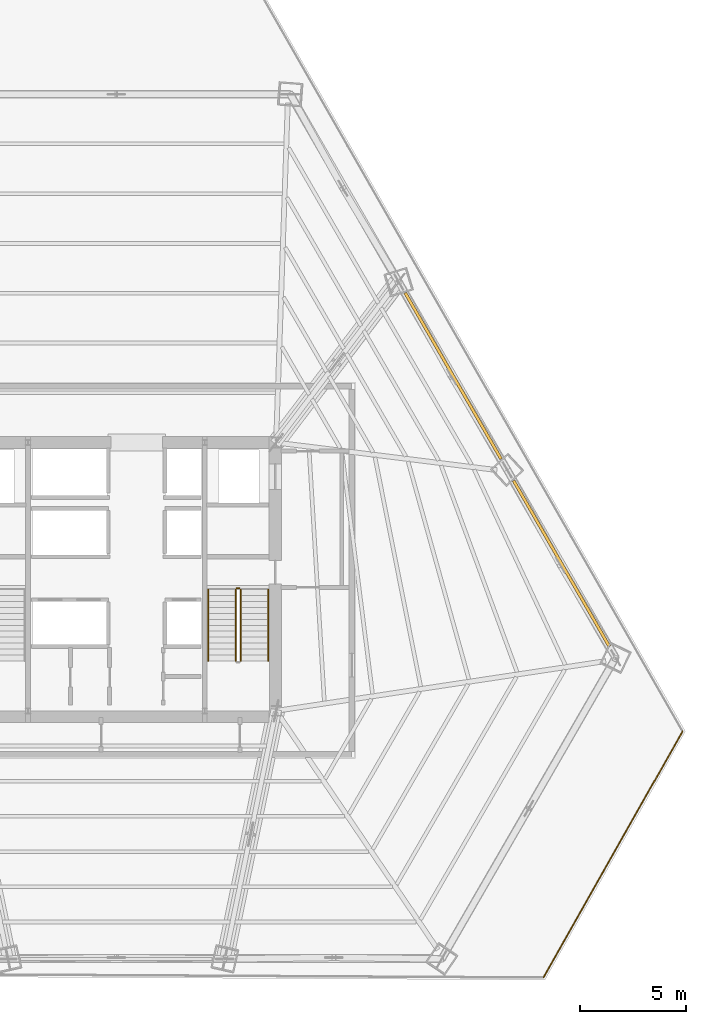
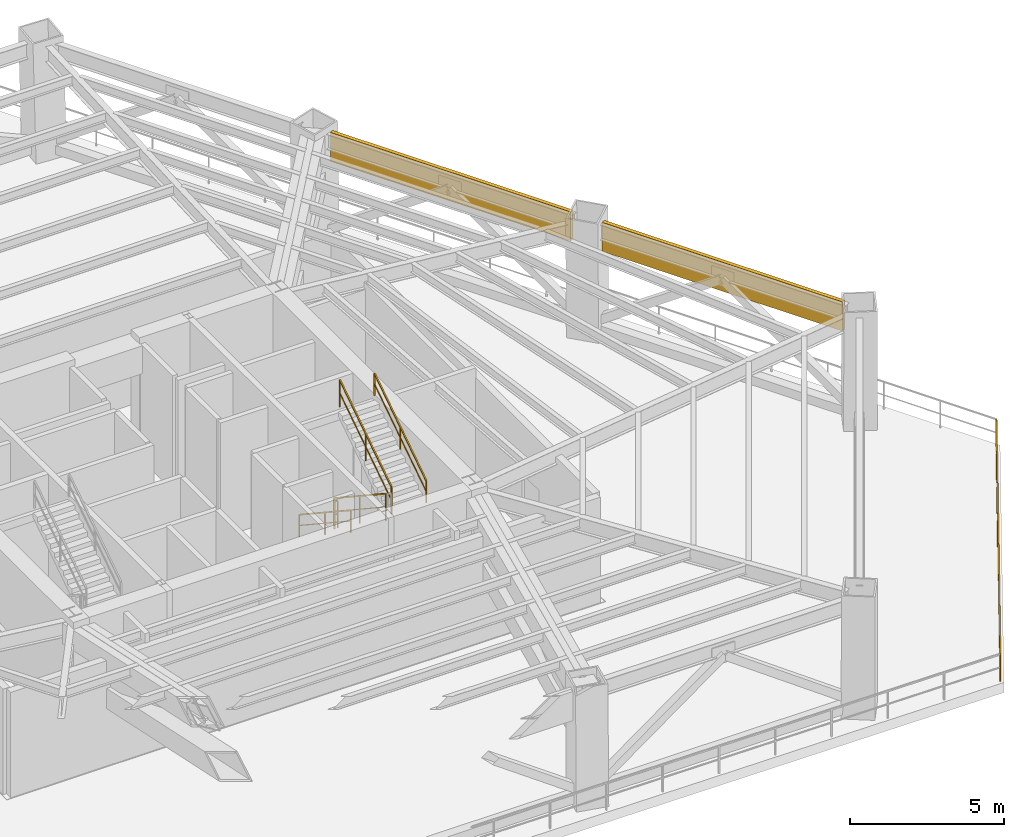
# One storey, part 12 of 13: 6 railings, 2 shading devices.
"""IFC4 building model written with IfcOpenShell, lengths in metres."""

import ifcopenshell
import ifcopenshell.guid

model = None  # the IFC model being written
_history = None  # IfcOwnerHistory: only IFC2X3 demands one
_inside = {}  # id of a spatial element -> (the spatial element, [elements in it])
_under = {}  # id of a project, library or spatial element -> (it, [spatial elements below it])
_declared = {}  # id of a project -> (the project, [libraries it declares])
_typed = {}  # id of a type object -> (the type object, [elements of that type])
_made_of = {}  # id of a material, layer set ... -> (it, [elements and type objects made of it])


def new_model(schema):
    """Start an empty IFC model of exactly this schema.

    Asked for "IFC4X3", IfcOpenShell would pick the latest addendum, in which some entities
    have other attributes; the version numbers below select the first issue.
    IFC2X3 requires an IfcOwnerHistory on every rooted entity: one is made here for all.
    """
    global model, _history
    if schema == "IFC4X3":
        model = ifcopenshell.file(schema_version=(4, 3, 0, 0))
    else:
        model = ifcopenshell.file(schema=schema)
    _inside.clear()
    _under.clear()
    _declared.clear()
    _typed.clear()
    _made_of.clear()
    _history = None
    if model.schema == "IFC2X3":
        org = make("IfcOrganization", Name="unknown")
        user = make(
            "IfcPersonAndOrganization",
            ThePerson=make("IfcPerson", FamilyName="unknown"),
            TheOrganization=org,
        )
        app = make(
            "IfcApplication",
            ApplicationDeveloper=org,
            Version="unknown",
            ApplicationFullName="unknown",
            ApplicationIdentifier="unknown",
        )
        _history = make(
            "IfcOwnerHistory",
            OwningUser=user,
            OwningApplication=app,
            ChangeAction="ADDED",
            CreationDate=0,
        )
    return model


def make(cls, **values):
    """One entity of the class cls with the attributes given. An attribute that is None is left unset."""
    return model.create_entity(
        cls, **{name: value for name, value in values.items() if value is not None}
    )


def rooted(cls, **values):
    """An entity with a GlobalId (a new one), such as an element, a storey or a relation."""
    return make(cls, GlobalId=ifcopenshell.guid.new(), OwnerHistory=_history, **values)


def si_unit(unit_type, name, prefix=None):
    """IfcSIUnit, for example si_unit("LENGTHUNIT", "METRE", prefix="MILLI")."""
    return make("IfcSIUnit", UnitType=unit_type, Prefix=prefix, Name=name)


def assignment(units):
    """IfcUnitAssignment: the units of a project."""
    return None if units is None else make("IfcUnitAssignment", Units=units)


def point(xyz):
    """IfcCartesianPoint."""
    return None if xyz is None else make("IfcCartesianPoint", Coordinates=xyz)


def direction(xyz):
    """IfcDirection."""
    return None if xyz is None else make("IfcDirection", DirectionRatios=xyz)


def frame(location, z_axis=None, x_axis=None):
    """IfcAxis2Placement3D, a coordinate frame: its origin and axes. An axis left out is left unset."""
    return make(
        "IfcAxis2Placement3D",
        Location=point(location),
        Axis=direction(z_axis),
        RefDirection=direction(x_axis),
    )


def frame_2d(location, x_axis=None):
    """IfcAxis2Placement2D, a coordinate frame in the plane: its origin and x axis."""
    return make(
        "IfcAxis2Placement2D", Location=point(location), RefDirection=direction(x_axis)
    )


def origin():
    """The frame at (0, 0, 0) with its axes left unset."""
    return frame((0.0, 0.0, 0.0))


def origin_2d():
    """The frame at (0, 0) in the plane with its x axis left unset."""
    return frame_2d((0.0, 0.0))


def place(relative_to, where):
    """IfcLocalPlacement: puts the frame where relative to a parent placement (None: the world)."""
    return make(
        "IfcLocalPlacement", PlacementRelTo=relative_to, RelativePlacement=where
    )


def context(
    kind, dimensions, precision=None, world=None, true_north=None, identifier=None
):
    """IfcGeometricRepresentationContext, for example the 3D "Model" context."""
    return make(
        "IfcGeometricRepresentationContext",
        ContextIdentifier=identifier,
        ContextType=kind,
        CoordinateSpaceDimension=dimensions,
        Precision=precision,
        WorldCoordinateSystem=world,
        TrueNorth=true_north,
    )


def subcontext(parent, identifier, kind, view, scale=None):
    """IfcGeometricRepresentationSubContext, for example "Body" below "Model"."""
    return make(
        "IfcGeometricRepresentationSubContext",
        ContextIdentifier=identifier,
        ContextType=kind,
        ParentContext=parent,
        TargetScale=scale,
        TargetView=view,
    )


def project(units=None, contexts=None):
    """IfcProject with its units and contexts."""
    return rooted(
        "IfcProject",
        Name="project",
        RepresentationContexts=contexts,
        UnitsInContext=assignment(units),
    )


def spatial(cls, under=None, at=None, **own):
    """A site, building, storey or space (cls), placed at a placement, below another one or the project."""
    s = rooted(cls, ObjectPlacement=at, **own)
    if under is not None:
        _under.setdefault(under.id(), (under, []))[1].append(s)
    return s


def profile(cls, at=None, kind="AREA", **sizes):
    """A parametric profile (cls). Its sizes go by their IFC names, for example OverallWidth=200.0."""
    return make(cls, ProfileType=kind, Position=at, **sizes)


def rectangle(**sizes):
    """IfcRectangleProfileDef."""
    return profile("IfcRectangleProfileDef", **sizes)


def extrude(swept, where, along, depth):
    """IfcExtrudedAreaSolid: the profile swept, set in the frame where, extruded along a direction by depth."""
    return make(
        "IfcExtrudedAreaSolid",
        SweptArea=swept,
        Position=where,
        ExtrudedDirection=direction(along),
        Depth=depth,
    )


def shape(context_of_items, identifier, shape_type, items):
    """IfcShapeRepresentation: the items that make up one representation, for example the "Body"."""
    return make(
        "IfcShapeRepresentation",
        ContextOfItems=context_of_items,
        RepresentationIdentifier=identifier,
        RepresentationType=shape_type,
        Items=items,
    )


def source(mapping_origin, context_of_items, identifier, shape_type, items):
    """IfcRepresentationMap: a shape defined once, which mapped items show again and again."""
    return make(
        "IfcRepresentationMap",
        MappingOrigin=mapping_origin,
        MappedRepresentation=shape(context_of_items, identifier, shape_type, items),
    )


def transform(
    local_origin,
    x_axis=None,
    y_axis=None,
    z_axis=None,
    scale=None,
    scale2=None,
    scale3=None,
    uniform=True,
):
    """IfcCartesianTransformationOperator3D, or its non-uniform kind. x_axis, y_axis, z_axis: its Axis1, 2, 3."""
    if uniform:
        return make(
            "IfcCartesianTransformationOperator3D",
            Axis1=direction(x_axis),
            Axis2=direction(y_axis),
            LocalOrigin=point(local_origin),
            Scale=scale,
            Axis3=direction(z_axis),
        )
    return make(
        "IfcCartesianTransformationOperator3DnonUniform",
        Axis1=direction(x_axis),
        Axis2=direction(y_axis),
        LocalOrigin=point(local_origin),
        Scale=scale,
        Axis3=direction(z_axis),
        Scale2=scale2,
        Scale3=scale3,
    )


def mapped(mapping_source, mapping_target):
    """IfcMappedItem: shows the shape of a source again, moved by a transform."""
    return make(
        "IfcMappedItem", MappingSource=mapping_source, MappingTarget=mapping_target
    )


def material(Name=None, Category=None):
    """IfcMaterial."""
    return make("IfcMaterial", Name=Name, Category=Category)


def layer(
    of_material, thickness, ventilated=None, Name=None, Category=None, Priority=None
):
    """IfcMaterialLayer: one layer of a wall or slab, of a material (None: an air gap)."""
    return make(
        "IfcMaterialLayer",
        Material=of_material,
        LayerThickness=thickness,
        IsVentilated=ventilated,
        Name=Name,
        Category=Category,
        Priority=Priority,
    )


def layer_set(layers, Name=None):
    """IfcMaterialLayerSet."""
    return make("IfcMaterialLayerSet", MaterialLayers=layers, LayerSetName=Name)


def made_of(thing, what):
    """Note that an element or type object is made of a material, layer set ...; save() writes the relation."""
    if what is not None:
        _made_of.setdefault(what.id(), (what, []))[1].append(thing)
    return thing


def type_object(cls, material=None, **own):
    """A type object (cls), such as IfcWallType, which elements share."""
    return made_of(rooted(cls, **own), material)


def type_shapes(of_type, sources):
    """Give a type object the sources (RepresentationMaps) that its elements show as mapped items."""
    of_type.RepresentationMaps = sources


def element(
    cls,
    number,
    at=None,
    inside=None,
    cuts=None,
    type_object=None,
    material=None,
    context=None,
    identifier="Body",
    shape_type=None,
    held_by="IfcProductDefinitionShape",
    body=None,
    shapes=None,
    **own,
):
    """One element of the class cls, such as IfcWall. Its Tag is "e" and its number.

    at: its placement. inside: the storey or other place that contains it. cuts: it is an
    opening in that element (IfcRelVoidsElement). A single representation is given by context,
    identifier, shape_type and body (its items); several are given by shapes. held_by: the class
    of the entity that holds the representations. save() writes the other relations.
    """
    e = rooted(cls, Tag="e%d" % number, ObjectPlacement=at, **own)
    if body is not None:
        shapes = [shape(context, identifier, shape_type, body)]
    if shapes is not None:
        e.Representation = make(held_by, Representations=shapes)
    if inside is not None:
        _inside.setdefault(inside.id(), (inside, []))[1].append(e)
    if cuts is not None:
        rooted(
            "IfcRelVoidsElement", RelatingBuildingElement=cuts, RelatedOpeningElement=e
        )
    if type_object is not None:
        _typed.setdefault(type_object.id(), (type_object, []))[1].append(e)
    return made_of(e, material)


def aggregate(whole, parts):
    """IfcRelAggregates: a whole, such as a stair, and the parts it consists of."""
    return rooted("IfcRelAggregates", RelatingObject=whole, RelatedObjects=parts)


def save(model, path):
    """Write the relations noted so far, then the file.

    IfcRelAggregates (storeys below a building ...), IfcRelContainedInSpatialStructure (elements
    in a storey), IfcRelDefinesByType, IfcRelAssociatesMaterial and IfcRelDeclares: one each for
    every whole, place, type object, material and project.
    """
    for whole, parts in _under.values():
        aggregate(whole, parts)
    for where, things in _inside.values():
        rooted(
            "IfcRelContainedInSpatialStructure",
            RelatedElements=things,
            RelatingStructure=where,
        )
    for kind, things in _typed.values():
        rooted("IfcRelDefinesByType", RelatedObjects=things, RelatingType=kind)
    for what, things in _made_of.values():
        rooted("IfcRelAssociatesMaterial", RelatedObjects=things, RelatingMaterial=what)
    for by, libraries in _declared.values():
        rooted("IfcRelDeclares", RelatingContext=by, RelatedDefinitions=libraries)
    model.write(path)


model = new_model("IFC4")

# Units and contexts
model_context = context("Model", 3, precision=1e-05, world=origin(), true_north=direction((0.0, 1.0)))
body_context = subcontext(model_context, "Body", "Model", "MODEL_VIEW")
ifc_project = project(units=[si_unit("LENGTHUNIT", "METRE"), si_unit("AREAUNIT", "SQUARE_METRE"), si_unit("VOLUMEUNIT", "CUBIC_METRE"), si_unit("PLANEANGLEUNIT", "RADIAN"), si_unit("MASSUNIT", "GRAM", prefix="KILO")], contexts=[model_context])

# Site, building, storey
site_placement = place(None, origin())
site = spatial("IfcSite", under=ifc_project, at=site_placement, CompositionType="ELEMENT")
building_placement = place(site_placement, origin())
building = spatial("IfcBuilding", under=site, at=building_placement, Name="Caelisora Broadcast Tower", CompositionType="ELEMENT")
storey_placement = place(building_placement, frame((0.0, 0.0, 75.050048828125)))
storey = spatial("IfcBuildingStorey", under=building, at=storey_placement, Name="L19", CompositionType="ELEMENT", Elevation=75.050048828125)

# Railings
ifc_material_1 = material(Name="Laminated Glass and Stainless Steel Terrace Balustrade", Category="steel")
ifc_layer_1 = layer(ifc_material_1, 0.048095703125, Name="Laminated Glass and Stainless Steel Terrace Balustrade")
ifc_layer_set_1 = layer_set([ifc_layer_1], Name="Laminated Glass and Stainless Steel Terrace Balustrade")
railing_type_1 = type_object("IfcRailingType", Name="BL-1", PredefinedType="BALUSTRADE", material=ifc_layer_set_1)
railing_1_placement = place(storey_placement, frame((64.587890625, 16.43896484375, 0.0)))
element("IfcRailing", 1, at=railing_1_placement, inside=storey, type_object=railing_type_1, Name="L19 balustrade BL-1 #02", PredefinedType="BALUSTRADE", context=body_context, shape_type="SweptSolid", body=[
    extrude(rectangle(XDim=0.048095703125, YDim=0.048095703125, at=origin_2d()), frame((0.0, 0.0, 1.076171875), z_axis=(-0.491890594019, -0.8706570183, 0.0), x_axis=(0.8706570183, -0.491890594019, 0.0)), (0.0, 0.0, 1.0), 13.27490234375),
    extrude(rectangle(XDim=0.03125, YDim=0.03125, at=origin_2d()), frame((0.0, 0.0, 0.550048828125), z_axis=(-0.491890594019, -0.8706570183, 0.0), x_axis=(0.8706570183, -0.491890594019, 0.0)), (0.0, 0.0, 1.0), 13.27490234375),
    extrude(rectangle(XDim=0.0419921875, YDim=0.0419921875, at=origin_2d()), origin(), (0.0, 0.0, 1.0), 1.052001953125),
    extrude(rectangle(XDim=0.0419921875, YDim=0.0419921875, at=origin_2d()), frame((-0.932861328125, -1.651123046875, 0.0)), (0.0, 0.0, 1.0), 1.052001953125),
    extrude(rectangle(XDim=0.0419921875, YDim=0.0419921875, at=origin_2d()), frame((-1.86572265625, -3.30224609375, 0.0)), (0.0, 0.0, 1.0), 1.052001953125),
    extrude(rectangle(XDim=0.0419921875, YDim=0.0419921875, at=origin_2d()), frame((-2.798583984375, -4.953369140625, 0.0)), (0.0, 0.0, 1.0), 1.052001953125),
    extrude(rectangle(XDim=0.0419921875, YDim=0.0419921875, at=origin_2d()), frame((-3.731201171875, -6.6044921875, 0.0)), (0.0, 0.0, 1.0), 1.052001953125),
    extrude(rectangle(XDim=0.0419921875, YDim=0.0419921875, at=origin_2d()), frame((-4.6640625, -8.255615234375, 0.0)), (0.0, 0.0, 1.0), 1.052001953125),
    extrude(rectangle(XDim=0.0419921875, YDim=0.0419921875, at=origin_2d()), frame((-5.596923828125, -9.90673828125, 0.0)), (0.0, 0.0, 1.0), 1.052001953125),
    extrude(rectangle(XDim=0.0419921875, YDim=0.0419921875, at=origin_2d()), frame((-6.52978515625, -11.557861328125, 0.0)), (0.0, 0.0, 1.0), 1.052001953125),
])
ifc_material_2 = material(Name="Galvanised Steel Safety Guardrail", Category="steel")
ifc_layer_2 = layer(ifc_material_2, 0.048095703125, Name="Galvanised Steel Safety Guardrail")
ifc_layer_set_2 = layer_set([ifc_layer_2], Name="Galvanised Steel Safety Guardrail")
railing_type_2 = type_object("IfcRailingType", Name="GR-1", PredefinedType="GUARDRAIL", material=ifc_layer_set_2)
railing_2_placement = place(storey_placement, frame((43.610107421875, 23.10009765625, 0.1845703125)))
element("IfcRailing", 2, at=railing_2_placement, inside=storey, type_object=railing_type_2, Name="L19 ST-2 stair guard 1", PredefinedType="GUARDRAIL", context=body_context, shape_type="SweptSolid", body=[
    extrude(rectangle(XDim=0.048095703125, YDim=0.048095703125, at=origin_2d()), frame((0.0, 0.0, 1.076171875), z_axis=(0.0, -0.834876476806, 0.550437342915), x_axis=(1.0, 0.0, 0.0)), (0.0, 0.0, 1.0), 4.024658203125),
    extrude(rectangle(XDim=0.03125, YDim=0.03125, at=origin_2d()), frame((0.0, 0.0, 0.550048828125), z_axis=(0.0, -0.834876476806, 0.550437342915), x_axis=(1.0, 0.0, 0.0)), (0.0, 0.0, 1.0), 4.024658203125),
    extrude(rectangle(XDim=0.0419921875, YDim=0.0419921875, at=origin_2d()), origin(), (0.0, 0.0, 1.0), 1.052001953125),
    extrude(rectangle(XDim=0.0419921875, YDim=0.0419921875, at=origin_2d()), frame((0.0, -1.68017578125, 1.107666015625)), (0.0, 0.0, 1.0), 1.052001953125),
    extrude(rectangle(XDim=0.0419921875, YDim=0.0419921875, at=origin_2d()), frame((0.0, -3.360107421875, 2.21533203125)), (0.0, 0.0, 1.0), 1.052001953125),
])
railing_3_placement = place(storey_placement, frame((43.830078125, 19.739990234375, 2.58447265625)))
element("IfcRailing", 3, at=railing_3_placement, inside=storey, type_object=railing_type_2, Name="L19 ST-2 stair guard 3", PredefinedType="GUARDRAIL", context=body_context, shape_type="SweptSolid", body=[
    extrude(rectangle(XDim=0.048095703125, YDim=0.048095703125, at=origin_2d()), frame((0.0, 0.0, 1.076171875), z_axis=(0.0, 0.834848600103, 0.550479622607), x_axis=(-1.0, 0.0, 0.0)), (0.0, 0.0, 1.0), 4.02490234375),
    extrude(rectangle(XDim=0.03125, YDim=0.03125, at=origin_2d()), frame((0.0, 0.0, 0.550048828125), z_axis=(0.0, 0.834848600103, 0.550479622607), x_axis=(-1.0, 0.0, 0.0)), (0.0, 0.0, 1.0), 4.02490234375),
    extrude(rectangle(XDim=0.0419921875, YDim=0.0419921875, at=origin_2d()), origin(), (0.0, 0.0, 1.0), 1.052001953125),
    extrude(rectangle(XDim=0.0419921875, YDim=0.0419921875, at=origin_2d()), frame((0.0, 1.68017578125, 1.10791015625)), (0.0, 0.0, 1.0), 1.052001953125),
    extrude(rectangle(XDim=0.0419921875, YDim=0.0419921875, at=origin_2d()), frame((0.0, 3.360107421875, 2.215576171875)), (0.0, 0.0, 1.0), 1.052001953125),
])
railing_4_placement = place(storey_placement, frame((43.659912109375, 23.14990234375, 0.0)))
element("IfcRailing", 4, at=railing_4_placement, inside=storey, type_object=railing_type_2, Name="L19 ST-2 stair guard 4", PredefinedType="GUARDRAIL", context=body_context, shape_type="SweptSolid", body=[
    extrude(rectangle(XDim=0.048095703125, YDim=0.048095703125, at=origin_2d()), frame((0.0, 0.0, 1.076171875), z_axis=(1.0, 0.0, 0.0), x_axis=(0.0, 1.0, 0.0)), (0.0, 0.0, 1.0), 0.1201171875),
    extrude(rectangle(XDim=0.03125, YDim=0.03125, at=origin_2d()), frame((0.0, 0.0, 0.550048828125), z_axis=(1.0, 0.0, 0.0), x_axis=(0.0, 1.0, 0.0)), (0.0, 0.0, 1.0), 0.1201171875),
    extrude(rectangle(XDim=0.0419921875, YDim=0.0419921875, at=origin_2d()), origin(), (0.0, 0.0, 1.0), 1.052001953125),
    extrude(rectangle(XDim=0.0419921875, YDim=0.0419921875, at=origin_2d()), frame((0.1201171875, 0.0, 0.0)), (0.0, 0.0, 1.0), 1.052001953125),
])
ifc_material_3 = material(Name="Stainless Steel Grade 316 Tubular Handrail", Category="steel")
ifc_layer_3 = layer(ifc_material_3, 0.048095703125, Name="Stainless Steel Grade 316 Tubular Handrail")
ifc_layer_set_3 = layer_set([ifc_layer_3], Name="Stainless Steel Grade 316 Tubular Handrail")
railing_type_3 = type_object("IfcRailingType", Name="HR-1", PredefinedType="HANDRAIL", material=ifc_layer_set_3)
railing_5_placement = place(storey_placement, frame((42.31005859375, 23.10009765625, 0.1845703125)))
element("IfcRailing", 5, at=railing_5_placement, inside=storey, type_object=railing_type_3, Name="L19 ST-2 stair handrail 1", PredefinedType="HANDRAIL", context=body_context, shape_type="SweptSolid", body=[
    extrude(rectangle(XDim=0.048095703125, YDim=0.048095703125, at=origin_2d()), frame((0.0, 0.0, 0.8759765625), z_axis=(0.0, -0.834876476806, 0.550437342915), x_axis=(1.0, 0.0, 0.0)), (0.0, 0.0, 1.0), 4.024658203125),
    extrude(rectangle(XDim=0.03125, YDim=0.03125, at=origin_2d()), frame((0.0, 0.0, 0.449951171875), z_axis=(0.0, -0.834876476806, 0.550437342915), x_axis=(1.0, 0.0, 0.0)), (0.0, 0.0, 1.0), 4.024658203125),
    extrude(rectangle(XDim=0.0419921875, YDim=0.0419921875, at=origin_2d()), origin(), (0.0, 0.0, 1.0), 0.851806640625),
    extrude(rectangle(XDim=0.0419921875, YDim=0.0419921875, at=origin_2d()), frame((0.0, -1.68017578125, 1.107666015625)), (0.0, 0.0, 1.0), 0.851806640625),
    extrude(rectangle(XDim=0.0419921875, YDim=0.0419921875, at=origin_2d()), frame((0.0, -3.360107421875, 2.21533203125)), (0.0, 0.0, 1.0), 0.851806640625),
])
railing_6_placement = place(storey_placement, frame((45.1298828125, 19.739990234375, 2.58447265625)))
element("IfcRailing", 6, at=railing_6_placement, inside=storey, type_object=railing_type_3, Name="L19 ST-2 stair handrail 2", PredefinedType="HANDRAIL", context=body_context, shape_type="SweptSolid", body=[
    extrude(rectangle(XDim=0.048095703125, YDim=0.048095703125, at=origin_2d()), frame((0.0, 0.0, 0.8759765625), z_axis=(0.0, 0.834848600103, 0.550479622607), x_axis=(-1.0, 0.0, 0.0)), (0.0, 0.0, 1.0), 4.02490234375),
    extrude(rectangle(XDim=0.03125, YDim=0.03125, at=origin_2d()), frame((0.0, 0.0, 0.449951171875), z_axis=(0.0, 0.834848600103, 0.550479622607), x_axis=(-1.0, 0.0, 0.0)), (0.0, 0.0, 1.0), 4.02490234375),
    extrude(rectangle(XDim=0.0419921875, YDim=0.0419921875, at=origin_2d()), origin(), (0.0, 0.0, 1.0), 0.851806640625),
    extrude(rectangle(XDim=0.0419921875, YDim=0.0419921875, at=origin_2d()), frame((0.0, 1.68017578125, 1.10791015625)), (0.0, 0.0, 1.0), 0.851806640625),
    extrude(rectangle(XDim=0.0419921875, YDim=0.0419921875, at=origin_2d()), frame((0.0, 3.360107421875, 2.215576171875)), (0.0, 0.0, 1.0), 0.851806640625),
])

# Shading devices
ifc_material_4 = material(Name="Anodised Terracotta Aluminium Acoustic Louvre", Category="aluminium")
ifc_layer_4 = layer(ifc_material_4, 0.139892578125, Name="Anodised Terracotta Aluminium Acoustic Louvre")
ifc_layer_set_4 = layer_set([ifc_layer_4], Name="Anodised Terracotta Aluminium Acoustic Louvre")
shading_device_type = type_object("IfcShadingDeviceType", Name="LV-1", PredefinedType="JALOUSIE", material=ifc_layer_set_4)
shared_shape = source(origin(), body_context, "Body", "SweptSolid", [
    extrude(rectangle(XDim=9.0009765625, YDim=0.139892578125, at=origin_2d()), origin(), (0.0, 0.0, 1.0), 1.14990234375),
])
type_shapes(shading_device_type, [shared_shape])
for number, where, z_axis, x_axis, name in (
    (7, (58.904296875, 24.31298828125, 3.409912109375), (0.0, 0.0, 1.0), (-0.5, 0.866025403784, 0.0), "L19 refuge wind-baffle louvre #9"),
    (8, (53.813720703125, 33.1298828125, 3.409912109375), (0.0, 0.0, 1.0), (-0.5, 0.866025403784, 0.0), "L19 refuge wind-baffle louvre #10"),
):
    element("IfcShadingDevice", number, at=place(storey_placement, frame(where, z_axis=z_axis, x_axis=x_axis)), inside=storey, type_object=shading_device_type, Name=name, PredefinedType="JALOUSIE", context=body_context, shape_type="MappedRepresentation", body=[
        mapped(shared_shape, transform((0.0, 0.0, 0.0), scale=1.0)),
    ])

save(model, "model.ifc")
